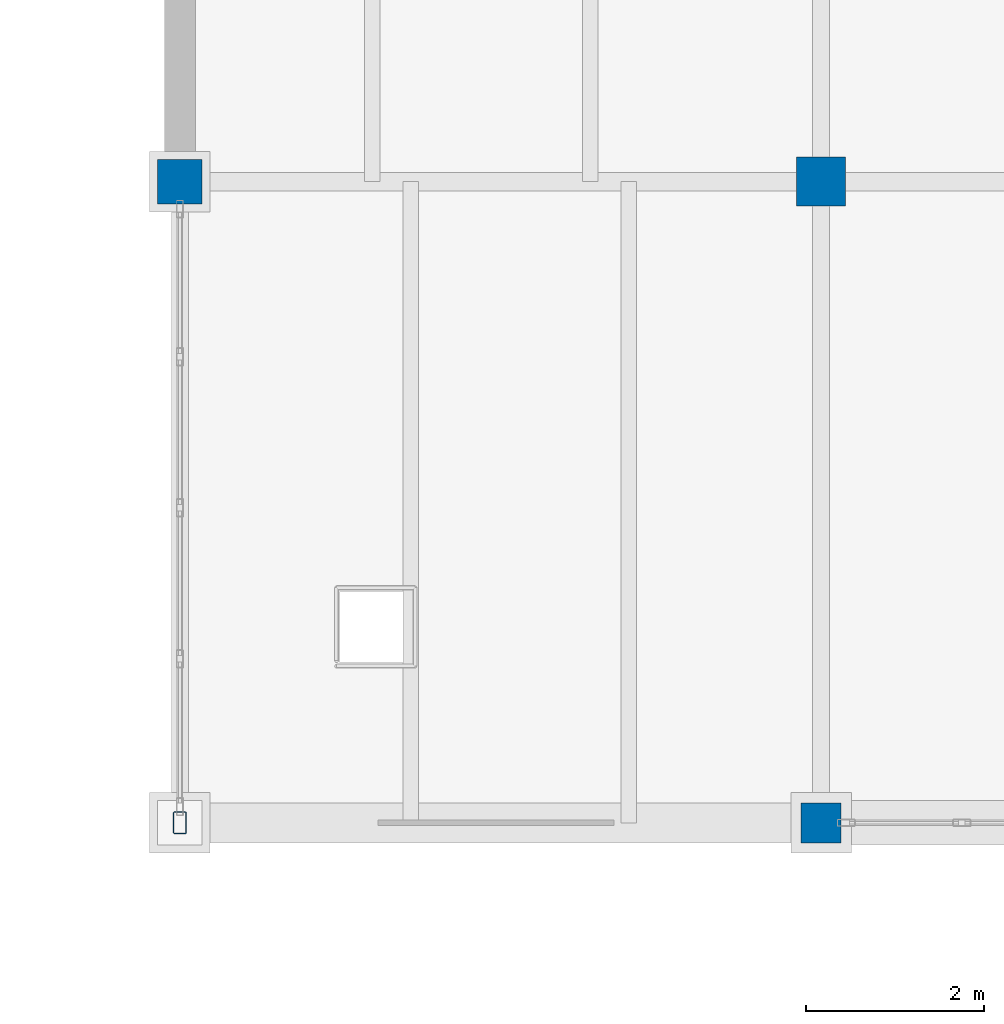
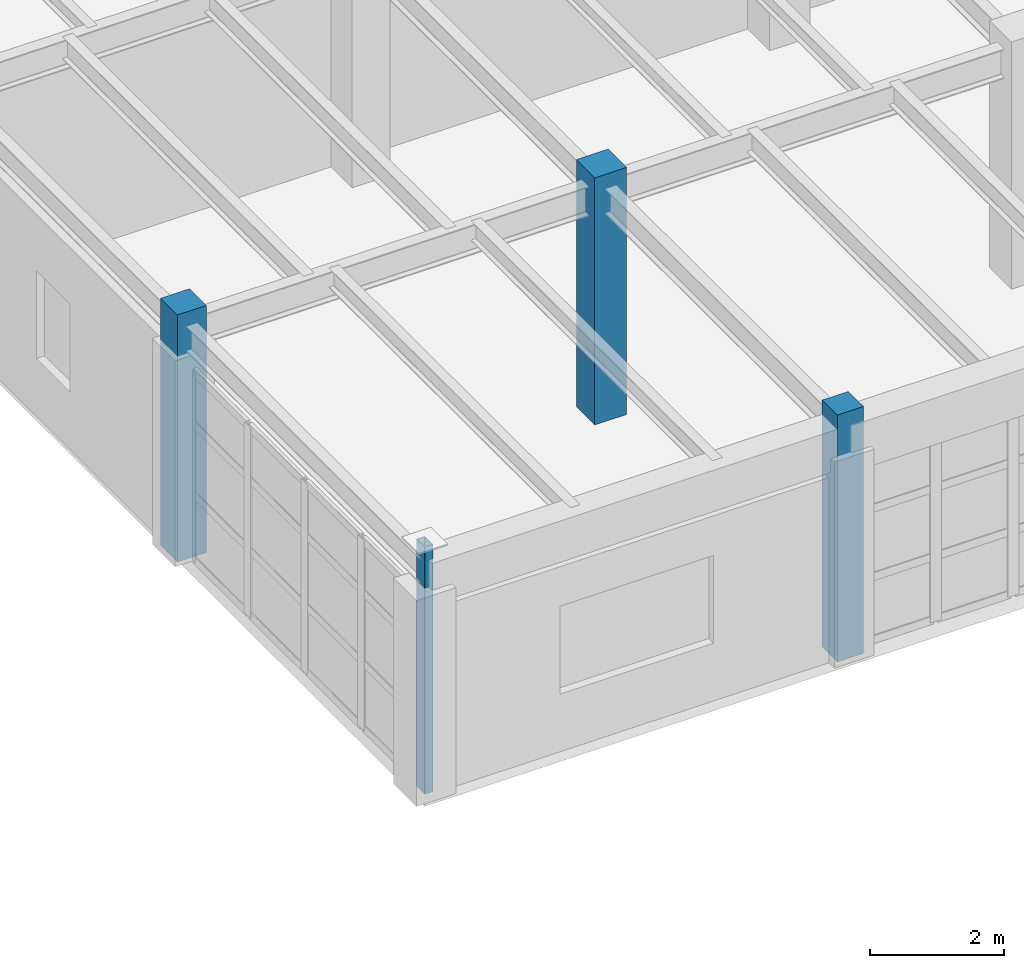
# One storey, part 8 of 137: 4 columns.
"""IFC4 building model written with IfcOpenShell, lengths in metres."""

from ifc_helpers import new_model, si_unit, direction, frame, origin, origin_2d, place, context, subcontext, project, spatial, rectangle, hollow_rectangle, extrude, material, material_profile, profile_set, type_object, element, save


model = new_model("IFC4")

# Units and contexts
model_context = context("Model", 3, precision=1e-05, world=origin(), true_north=direction((0.0, 1.0)))
body_context = subcontext(model_context, "Body", "Model", "MODEL_VIEW")
ifc_project = project(units=[si_unit("LENGTHUNIT", "METRE"), si_unit("AREAUNIT", "SQUARE_METRE"), si_unit("VOLUMEUNIT", "CUBIC_METRE"), si_unit("PLANEANGLEUNIT", "RADIAN"), si_unit("MASSUNIT", "GRAM", prefix="KILO")], contexts=[model_context])

# Site, building, storey
site_placement = place(None, origin())
site = spatial("IfcSite", under=ifc_project, at=site_placement, CompositionType="ELEMENT")
building_placement = place(site_placement, origin())
building = spatial("IfcBuilding", under=site, at=building_placement, Name="Kemerveld Promenade Tramway Depot", CompositionType="ELEMENT")
storey_placement = place(building_placement, frame((0.0, 0.0, 5.39990234375)))
storey = spatial("IfcBuildingStorey", under=building, at=storey_placement, Name="L01", CompositionType="ELEMENT", Elevation=5.39990234375)

# Columns
ifc_material_1 = material(Name="Concrete C40/50", Category="concrete")
ifc_material_profile_1 = material_profile(ifc_material_1, rectangle(XDim=0.449951171875, YDim=0.449951171875, at=origin_2d()), Name="RC-COL-450x450")
ifc_profile_set_1 = profile_set([ifc_material_profile_1], Name="Concrete C40/50")
column_type_1 = type_object("IfcColumnType", Name="COL-RC5", PredefinedType="COLUMN", material=ifc_profile_set_1)
column_1_placement = place(storey_placement, frame((122.39990234375, 50.39990234375, 0.0), z_axis=(0.0, 0.0, 1.0), x_axis=(1.0, 0.0, 0.0)))
element("IfcColumn", 1, at=column_1_placement, inside=storey, type_object=column_type_1, Name="COL-L01-18-H", PredefinedType="COLUMN", context=body_context, shape_type="SweptSolid", body=[
    extrude(rectangle(XDim=0.449951171875, YDim=0.449951171875, at=origin_2d()), origin(), (0.0, 0.0, 1.0), 4.5),
])
ifc_material_profile_2 = material_profile(ifc_material_1, rectangle(XDim=0.5, YDim=0.5, at=origin_2d()), Name="RC-COL-500x500")
ifc_profile_set_2 = profile_set([ifc_material_profile_2], Name="Concrete C40/50")
column_type_2 = type_object("IfcColumnType", Name="COL-RC6", PredefinedType="COLUMN", material=ifc_profile_set_2)
column_2_placement = place(storey_placement, frame((115.199951171875, 57.60009765625, 0.0), z_axis=(0.0, 0.0, 1.0), x_axis=(1.0, 0.0, 0.0)))
element("IfcColumn", 2, at=column_2_placement, inside=storey, type_object=column_type_2, Name="COL-L01-17-J", PredefinedType="COLUMN", context=body_context, shape_type="SweptSolid", body=[
    extrude(rectangle(XDim=0.5, YDim=0.5, at=origin_2d()), origin(), (0.0, 0.0, 1.0), 4.5),
])
ifc_material_profile_3 = material_profile(ifc_material_1, rectangle(XDim=0.550048828125, YDim=0.550048828125, at=origin_2d()), Name="RC-COL-550x550")
ifc_profile_set_3 = profile_set([ifc_material_profile_3], Name="Concrete C40/50")
column_type_3 = type_object("IfcColumnType", Name="COL-RC7", PredefinedType="COLUMN", material=ifc_profile_set_3)
column_3_placement = place(storey_placement, frame((122.39990234375, 57.60009765625, 0.0), z_axis=(0.0, 0.0, 1.0), x_axis=(1.0, 0.0, 0.0)))
element("IfcColumn", 3, at=column_3_placement, inside=storey, type_object=column_type_3, Name="COL-L01-18-J", PredefinedType="COLUMN", context=body_context, shape_type="SweptSolid", body=[
    extrude(rectangle(XDim=0.550048828125, YDim=0.550048828125, at=origin_2d()), origin(), (0.0, 0.0, 1.0), 4.5),
])
ifc_material_2 = material(Name="Steel S355", Category="steel")
ifc_material_profile_4 = material_profile(ifc_material_2, hollow_rectangle(XDim=0.14990234375, YDim=0.25, WallThickness=0.010009765625, InnerFilletRadius=0.0048828125, OuterFilletRadius=0.014892578125, at=origin_2d()), Name="250x150x10.0 RHS")
ifc_profile_set_4 = profile_set([ifc_material_profile_4], Name="Steel S355")
column_type_4 = type_object("IfcColumnType", Name="COL-S16", PredefinedType="COLUMN", material=ifc_profile_set_4)
column_4_placement = place(storey_placement, frame((115.199951171875, 50.39990234375, 0.0), z_axis=(0.0, 0.0, 1.0), x_axis=(1.0, 0.0, 0.0)))
element("IfcColumn", 4, at=column_4_placement, inside=storey, type_object=column_type_4, Name="COL-L01-17-H", PredefinedType="COLUMN", context=body_context, shape_type="SweptSolid", body=[
    extrude(hollow_rectangle(XDim=0.14990234375, YDim=0.25, WallThickness=0.010009765625, InnerFilletRadius=0.0048828125, OuterFilletRadius=0.014892578125, at=origin_2d()), origin(), (0.0, 0.0, 1.0), 4.5),
])

save(model, "model.ifc")
